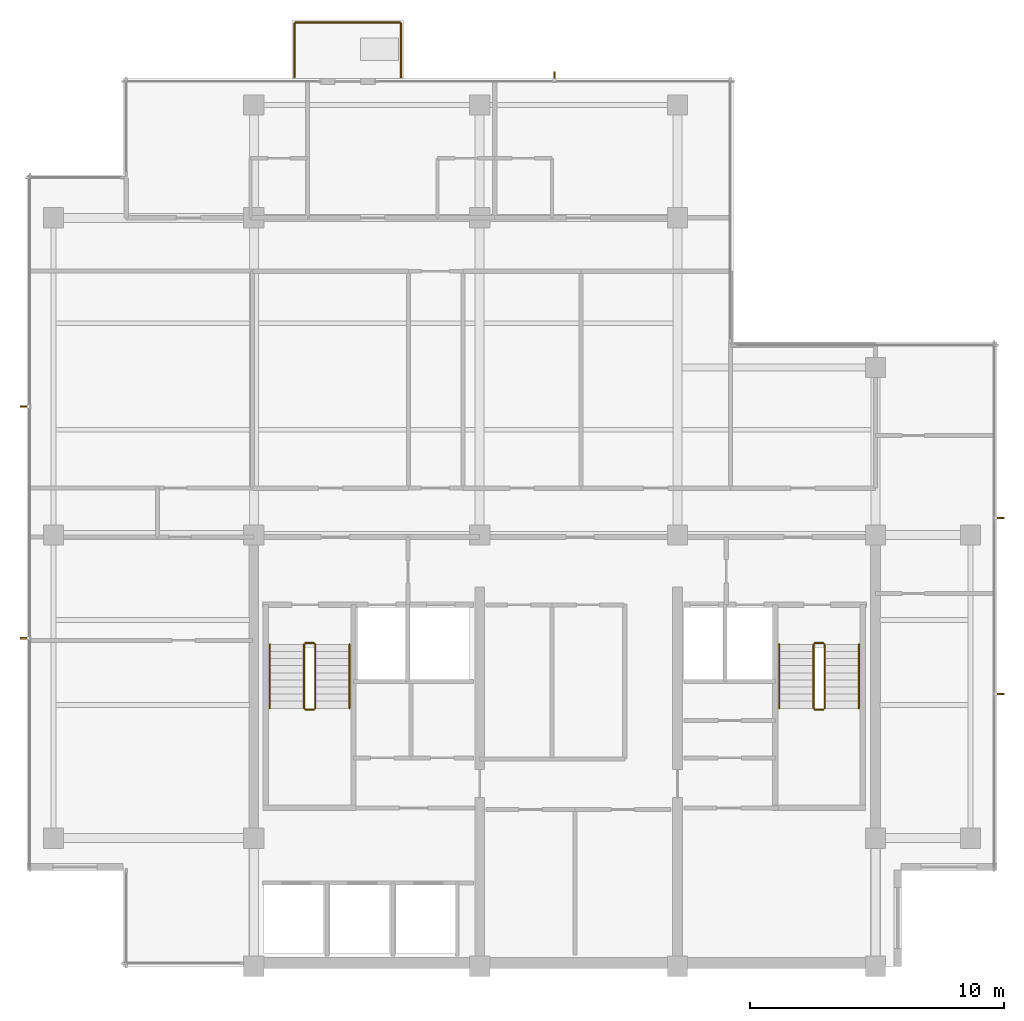
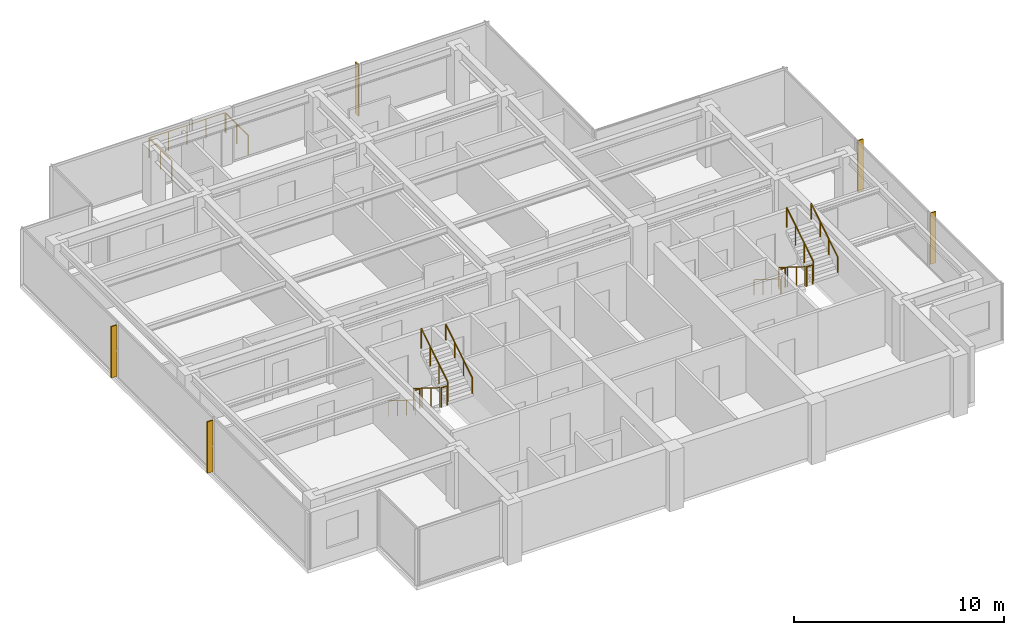
# One storey, part 11 of 11: 15 railings, 5 shading devices.
"""IFC4 building model written with IfcOpenShell, lengths in metres."""

from ifc_helpers import new_model, si_unit, direction, frame, origin, origin_2d, place, context, subcontext, project, spatial, polyline, circle, outline, extrude, material, layer, layer_set, type_object, element, save


model = new_model("IFC4")

# Units and contexts
model_context = context("Model", 3, precision=1e-05, world=origin(), true_north=direction((0.0, 1.0)))
body_context = subcontext(model_context, "Body", "Model", "MODEL_VIEW")
ifc_project = project(units=[si_unit("LENGTHUNIT", "METRE"), si_unit("AREAUNIT", "SQUARE_METRE"), si_unit("VOLUMEUNIT", "CUBIC_METRE"), si_unit("PLANEANGLEUNIT", "RADIAN"), si_unit("MASSUNIT", "GRAM", prefix="KILO")], contexts=[model_context])

# Site, building, storey
site_placement = place(None, origin())
site = spatial("IfcSite", under=ifc_project, at=site_placement, CompositionType="ELEMENT")
building_placement = place(site_placement, origin())
building = spatial("IfcBuilding", under=site, at=building_placement, Name="Qalmaran Belvedere Hotel", CompositionType="ELEMENT")
storey_placement = place(building_placement, frame((0.0, 0.0, 266.89990234375)))
storey = spatial("IfcBuildingStorey", under=building, at=storey_placement, Name="L69", CompositionType="ELEMENT", Elevation=266.89990234375)

# Shading devices
ifc_material_1 = material(Name="Anodised Bronze Aluminium", Category="aluminium")
ifc_layer = layer(ifc_material_1, 0.06494140625, Name="Anodised Bronze Aluminium")
ifc_layer_set = layer_set([ifc_layer], Name="Anodised Bronze Aluminium")
shading_device_type = type_object("IfcShadingDeviceType", Name="FIN-BRNZ-300", PredefinedType="USERDEFINED", material=ifc_layer_set)
shading_device_1_placement = place(storey_placement, frame((0.0, 0.0, 0.16015625)))
element("IfcShadingDevice", 1, at=shading_device_1_placement, inside=storey, type_object=shading_device_type, Name="L69 Bronze Fin 1", ObjectType="FIN", PredefinedType="USERDEFINED", context=body_context, shape_type="SweptSolid", body=[
    extrude(outline(polyline([(49.5673828125, 14.20068359375), (49.867431640625, 14.20068359375), (49.867431640625, 14.265869140625), (49.5673828125, 14.265869140625), (49.5673828125, 14.20068359375)])), origin(), (0.0, 0.0, 1.0), 2.97998046875),
])
shading_device_2_placement = place(storey_placement, frame((0.0, 0.0, 0.16015625)))
element("IfcShadingDevice", 2, at=shading_device_2_placement, inside=storey, type_object=shading_device_type, Name="L69 Bronze Fin 2", ObjectType="FIN", PredefinedType="USERDEFINED", context=body_context, shape_type="SweptSolid", body=[
    extrude(outline(polyline([(49.5673828125, 21.13427734375), (49.867431640625, 21.13427734375), (49.867431640625, 21.19921875), (49.5673828125, 21.19921875), (49.5673828125, 21.13427734375)])), origin(), (0.0, 0.0, 1.0), 2.97998046875),
])
shading_device_3_placement = place(storey_placement, frame((0.0, 0.0, 0.16015625)))
element("IfcShadingDevice", 3, at=shading_device_3_placement, inside=storey, type_object=shading_device_type, Name="L69 Bronze Fin 1", ObjectType="FIN", PredefinedType="USERDEFINED", context=body_context, shape_type="SweptSolid", body=[
    extrude(outline(polyline([(32.1826171875, 38.467529296875), (32.1826171875, 38.767578125), (32.117431640625, 38.767578125), (32.117431640625, 38.467529296875), (32.1826171875, 38.467529296875)])), origin(), (0.0, 0.0, 1.0), 2.97998046875),
])
shading_device_4_placement = place(storey_placement, frame((0.0, 0.0, 0.16015625)))
element("IfcShadingDevice", 4, at=shading_device_4_placement, inside=storey, type_object=shading_device_type, Name="L69 Bronze Fin 1", ObjectType="FIN", PredefinedType="USERDEFINED", context=body_context, shape_type="SweptSolid", body=[
    extrude(outline(polyline([(11.382568359375, 25.59912109375), (11.08251953125, 25.59912109375), (11.08251953125, 25.5341796875), (11.382568359375, 25.5341796875), (11.382568359375, 25.59912109375)])), origin(), (0.0, 0.0, 1.0), 2.97998046875),
])
shading_device_5_placement = place(storey_placement, frame((0.0, 0.0, 0.16015625)))
element("IfcShadingDevice", 5, at=shading_device_5_placement, inside=storey, type_object=shading_device_type, Name="L69 Bronze Fin 2", ObjectType="FIN", PredefinedType="USERDEFINED", context=body_context, shape_type="SweptSolid", body=[
    extrude(outline(polyline([(11.382568359375, 16.4658203125), (11.08251953125, 16.4658203125), (11.08251953125, 16.40087890625), (11.382568359375, 16.40087890625), (11.382568359375, 16.4658203125)])), origin(), (0.0, 0.0, 1.0), 2.97998046875),
])

# Railings
railing_type_1 = type_object("IfcRailingType", Name="GRD-BAL-1150", PredefinedType="BALUSTRADE", material=ifc_material_1)
railing_1_placement = place(storey_placement, frame((21.89990234375, 38.534912109375, 0.0)))
element("IfcRailing", 6, at=railing_1_placement, inside=storey, type_object=railing_type_1, Name="L69 Guardrail BAL-L69-N-1", PredefinedType="BALUSTRADE", context=body_context, shape_type="SweptSolid", body=[
    extrude(circle(Radius=0.02392578125, at=origin_2d()), frame((0.0, 0.0, 1.1259765625), z_axis=(0.0, 1.0, 0.0), x_axis=(-1.0, 0.0, 0.0)), (0.0, 0.0, 1.0), 2.130126953125),
    extrude(circle(Radius=0.02099609375, at=origin_2d()), origin(), (0.0, 0.0, 1.0), 1.101806640625),
    extrude(circle(Radius=0.02099609375, at=origin_2d()), frame((0.0, 1.06494140625, 0.0)), (0.0, 0.0, 1.0), 1.101806640625),
    extrude(circle(Radius=0.02099609375, at=origin_2d()), frame((0.0, 2.130126953125, 0.0)), (0.0, 0.0, 1.0), 1.101806640625),
])
railing_2_placement = place(storey_placement, frame((21.93505859375, 40.699951171875, 0.0)))
element("IfcRailing", 7, at=railing_2_placement, inside=storey, type_object=railing_type_1, Name="L69 Guardrail BAL-L69-N-2", PredefinedType="BALUSTRADE", context=body_context, shape_type="SweptSolid", body=[
    extrude(circle(Radius=0.02392578125, at=origin_2d()), frame((0.0, 0.0, 1.1259765625), z_axis=(1.0, 0.0, 0.0), x_axis=(0.0, 1.0, 0.0)), (0.0, 0.0, 1.0), 4.1298828125),
    extrude(circle(Radius=0.02099609375, at=origin_2d()), origin(), (0.0, 0.0, 1.0), 1.101806640625),
    extrude(circle(Radius=0.02099609375, at=origin_2d()), frame((1.032470703125, 0.0, 0.0)), (0.0, 0.0, 1.0), 1.101806640625),
    extrude(circle(Radius=0.02099609375, at=origin_2d()), frame((2.06494140625, 0.0, 0.0)), (0.0, 0.0, 1.0), 1.101806640625),
    extrude(circle(Radius=0.02099609375, at=origin_2d()), frame((3.097412109375, 0.0, 0.0)), (0.0, 0.0, 1.0), 1.101806640625),
    extrude(circle(Radius=0.02099609375, at=origin_2d()), frame((4.1298828125, 0.0, 0.0)), (0.0, 0.0, 1.0), 1.101806640625),
])
railing_3_placement = place(storey_placement, frame((26.10009765625, 40.6650390625, 0.0)))
element("IfcRailing", 8, at=railing_3_placement, inside=storey, type_object=railing_type_1, Name="L69 Guardrail BAL-L69-N-3", PredefinedType="BALUSTRADE", context=body_context, shape_type="SweptSolid", body=[
    extrude(circle(Radius=0.02392578125, at=origin_2d()), frame((0.0, 0.0, 1.1259765625), z_axis=(0.0, -1.0, 0.0), x_axis=(1.0, 0.0, 0.0)), (0.0, 0.0, 1.0), 2.130126953125),
    extrude(circle(Radius=0.02099609375, at=origin_2d()), origin(), (0.0, 0.0, 1.0), 1.101806640625),
    extrude(circle(Radius=0.02099609375, at=origin_2d()), frame((0.0, -1.06494140625, 0.0)), (0.0, 0.0, 1.0), 1.101806640625),
    extrude(circle(Radius=0.02099609375, at=origin_2d()), frame((0.0, -2.130126953125, 0.0)), (0.0, 0.0, 1.0), 1.101806640625),
])
ifc_material_2 = material(Name="Stainless Steel 1.4401", Category="steel")
railing_type_2 = type_object("IfcRailingType", Name="RLG-STAIR-GUARD-1150", PredefinedType="GUARDRAIL", material=ifc_material_2)
railing_4_placement = place(storey_placement, frame((22.280029296875, 16.18994140625, 0.175048828125)))
element("IfcRailing", 9, at=railing_4_placement, inside=storey, type_object=railing_type_2, Name="L69 ST-1 stair guard 1", PredefinedType="GUARDRAIL", context=body_context, shape_type="SweptSolid", body=[
    extrude(circle(Radius=0.02392578125, at=origin_2d()), frame((0.0, 0.0, 1.1259765625), z_axis=(0.0, -0.848007534815, 0.529984170421), x_axis=(1.0, 0.0, 0.0)), (0.0, 0.0, 1.0), 2.9716796875),
    extrude(circle(Radius=0.02099609375, at=origin_2d()), origin(), (0.0, 0.0, 1.0), 1.101806640625),
    extrude(circle(Radius=0.02099609375, at=origin_2d()), frame((0.0, -0.840087890625, 0.52490234375)), (0.0, 0.0, 1.0), 1.101806640625),
    extrude(circle(Radius=0.02099609375, at=origin_2d()), frame((0.0, -1.679931640625, 1.050048828125)), (0.0, 0.0, 1.0), 1.101806640625),
    extrude(circle(Radius=0.02099609375, at=origin_2d()), frame((0.0, -2.52001953125, 1.574951171875)), (0.0, 0.0, 1.0), 1.101806640625),
])
railing_5_placement = place(storey_placement, frame((22.330078125, 13.6201171875, 1.75)))
element("IfcRailing", 10, at=railing_5_placement, inside=storey, type_object=railing_type_2, Name="L69 ST-1 stair guard 2", PredefinedType="GUARDRAIL", context=body_context, shape_type="SweptSolid", body=[
    extrude(circle(Radius=0.02392578125, at=origin_2d()), frame((0.0, 0.0, 1.1259765625), z_axis=(1.0, 0.0, 0.0), x_axis=(0.0, 1.0, 0.0)), (0.0, 0.0, 1.0), 0.33984375),
    extrude(circle(Radius=0.02099609375, at=origin_2d()), origin(), (0.0, 0.0, 1.0), 1.101806640625),
    extrude(circle(Radius=0.02099609375, at=origin_2d()), frame((0.33984375, 0.0, 0.0)), (0.0, 0.0, 1.0), 1.101806640625),
])
railing_6_placement = place(storey_placement, frame((22.719970703125, 13.669921875, 1.925048828125)))
element("IfcRailing", 11, at=railing_6_placement, inside=storey, type_object=railing_type_2, Name="L69 ST-1 stair guard 3", PredefinedType="GUARDRAIL", context=body_context, shape_type="SweptSolid", body=[
    extrude(circle(Radius=0.02392578125, at=origin_2d()), frame((0.0, 0.0, 1.1259765625), z_axis=(0.0, 0.848007534815, 0.529984170421), x_axis=(-1.0, 0.0, 0.0)), (0.0, 0.0, 1.0), 2.9716796875),
    extrude(circle(Radius=0.02099609375, at=origin_2d()), origin(), (0.0, 0.0, 1.0), 1.101806640625),
    extrude(circle(Radius=0.02099609375, at=origin_2d()), frame((0.0, 0.840087890625, 0.52490234375)), (0.0, 0.0, 1.0), 1.101806640625),
    extrude(circle(Radius=0.02099609375, at=origin_2d()), frame((0.0, 1.679931640625, 1.050048828125)), (0.0, 0.0, 1.0), 1.101806640625),
    extrude(circle(Radius=0.02099609375, at=origin_2d()), frame((0.0, 2.52001953125, 1.574951171875)), (0.0, 0.0, 1.0), 1.101806640625),
])
railing_7_placement = place(storey_placement, frame((22.330078125, 16.239990234375, 0.0)))
element("IfcRailing", 12, at=railing_7_placement, inside=storey, type_object=railing_type_2, Name="L69 ST-1 stair guard 4", PredefinedType="GUARDRAIL", context=body_context, shape_type="SweptSolid", body=[
    extrude(circle(Radius=0.02392578125, at=origin_2d()), frame((0.0, 0.0, 1.1259765625), z_axis=(1.0, 0.0, 0.0), x_axis=(0.0, 1.0, 0.0)), (0.0, 0.0, 1.0), 0.33984375),
    extrude(circle(Radius=0.02099609375, at=origin_2d()), origin(), (0.0, 0.0, 1.0), 1.101806640625),
    extrude(circle(Radius=0.02099609375, at=origin_2d()), frame((0.33984375, 0.0, 0.0)), (0.0, 0.0, 1.0), 1.101806640625),
])
railing_8_placement = place(storey_placement, frame((42.360107421875, 16.18994140625, 0.175048828125)))
element("IfcRailing", 13, at=railing_8_placement, inside=storey, type_object=railing_type_2, Name="L69 ST-2 stair guard 1", PredefinedType="GUARDRAIL", context=body_context, shape_type="SweptSolid", body=[
    extrude(circle(Radius=0.02392578125, at=origin_2d()), frame((0.0, 0.0, 1.1259765625), z_axis=(0.0, -0.848007534815, 0.529984170421), x_axis=(1.0, 0.0, 0.0)), (0.0, 0.0, 1.0), 2.9716796875),
    extrude(circle(Radius=0.02099609375, at=origin_2d()), origin(), (0.0, 0.0, 1.0), 1.101806640625),
    extrude(circle(Radius=0.02099609375, at=origin_2d()), frame((0.0, -0.840087890625, 0.52490234375)), (0.0, 0.0, 1.0), 1.101806640625),
    extrude(circle(Radius=0.02099609375, at=origin_2d()), frame((0.0, -1.679931640625, 1.050048828125)), (0.0, 0.0, 1.0), 1.101806640625),
    extrude(circle(Radius=0.02099609375, at=origin_2d()), frame((0.0, -2.52001953125, 1.574951171875)), (0.0, 0.0, 1.0), 1.101806640625),
])
railing_9_placement = place(storey_placement, frame((42.409912109375, 13.6201171875, 1.75)))
element("IfcRailing", 14, at=railing_9_placement, inside=storey, type_object=railing_type_2, Name="L69 ST-2 stair guard 2", PredefinedType="GUARDRAIL", context=body_context, shape_type="SweptSolid", body=[
    extrude(circle(Radius=0.02392578125, at=origin_2d()), frame((0.0, 0.0, 1.1259765625), z_axis=(1.0, 0.0, 0.0), x_axis=(0.0, 1.0, 0.0)), (0.0, 0.0, 1.0), 0.340087890625),
    extrude(circle(Radius=0.02099609375, at=origin_2d()), origin(), (0.0, 0.0, 1.0), 1.101806640625),
    extrude(circle(Radius=0.02099609375, at=origin_2d()), frame((0.340087890625, 0.0, 0.0)), (0.0, 0.0, 1.0), 1.101806640625),
])
railing_10_placement = place(storey_placement, frame((42.800048828125, 13.669921875, 1.925048828125)))
element("IfcRailing", 15, at=railing_10_placement, inside=storey, type_object=railing_type_2, Name="L69 ST-2 stair guard 3", PredefinedType="GUARDRAIL", context=body_context, shape_type="SweptSolid", body=[
    extrude(circle(Radius=0.02392578125, at=origin_2d()), frame((0.0, 0.0, 1.1259765625), z_axis=(0.0, 0.848007534815, 0.529984170421), x_axis=(-1.0, 0.0, 0.0)), (0.0, 0.0, 1.0), 2.9716796875),
    extrude(circle(Radius=0.02099609375, at=origin_2d()), origin(), (0.0, 0.0, 1.0), 1.101806640625),
    extrude(circle(Radius=0.02099609375, at=origin_2d()), frame((0.0, 0.840087890625, 0.52490234375)), (0.0, 0.0, 1.0), 1.101806640625),
    extrude(circle(Radius=0.02099609375, at=origin_2d()), frame((0.0, 1.679931640625, 1.050048828125)), (0.0, 0.0, 1.0), 1.101806640625),
    extrude(circle(Radius=0.02099609375, at=origin_2d()), frame((0.0, 2.52001953125, 1.574951171875)), (0.0, 0.0, 1.0), 1.101806640625),
])
railing_11_placement = place(storey_placement, frame((42.409912109375, 16.239990234375, 0.0)))
element("IfcRailing", 16, at=railing_11_placement, inside=storey, type_object=railing_type_2, Name="L69 ST-2 stair guard 4", PredefinedType="GUARDRAIL", context=body_context, shape_type="SweptSolid", body=[
    extrude(circle(Radius=0.02392578125, at=origin_2d()), frame((0.0, 0.0, 1.1259765625), z_axis=(1.0, 0.0, 0.0), x_axis=(0.0, 1.0, 0.0)), (0.0, 0.0, 1.0), 0.340087890625),
    extrude(circle(Radius=0.02099609375, at=origin_2d()), origin(), (0.0, 0.0, 1.0), 1.101806640625),
    extrude(circle(Radius=0.02099609375, at=origin_2d()), frame((0.340087890625, 0.0, 0.0)), (0.0, 0.0, 1.0), 1.101806640625),
])
railing_type_3 = type_object("IfcRailingType", Name="RLG-STAIR-HAND-910", PredefinedType="HANDRAIL", material=ifc_material_2)
railing_12_placement = place(storey_placement, frame((20.929931640625, 16.18994140625, 0.175048828125)))
element("IfcRailing", 17, at=railing_12_placement, inside=storey, type_object=railing_type_3, Name="L69 ST-1 stair handrail 1", PredefinedType="HANDRAIL", context=body_context, shape_type="SweptSolid", body=[
    extrude(circle(Radius=0.02392578125, at=origin_2d()), frame((0.0, 0.0, 0.8857421875), z_axis=(0.0, -0.848007534815, 0.529984170421), x_axis=(1.0, 0.0, 0.0)), (0.0, 0.0, 1.0), 2.9716796875),
    extrude(circle(Radius=0.02099609375, at=origin_2d()), origin(), (0.0, 0.0, 1.0), 0.86181640625),
    extrude(circle(Radius=0.02099609375, at=origin_2d()), frame((0.0, -0.840087890625, 0.52490234375)), (0.0, 0.0, 1.0), 0.86181640625),
    extrude(circle(Radius=0.02099609375, at=origin_2d()), frame((0.0, -1.679931640625, 1.050048828125)), (0.0, 0.0, 1.0), 0.86181640625),
    extrude(circle(Radius=0.02099609375, at=origin_2d()), frame((0.0, -2.52001953125, 1.574951171875)), (0.0, 0.0, 1.0), 0.86181640625),
])
railing_13_placement = place(storey_placement, frame((24.070068359375, 13.669921875, 1.925048828125)))
element("IfcRailing", 18, at=railing_13_placement, inside=storey, type_object=railing_type_3, Name="L69 ST-1 stair handrail 2", PredefinedType="HANDRAIL", context=body_context, shape_type="SweptSolid", body=[
    extrude(circle(Radius=0.02392578125, at=origin_2d()), frame((0.0, 0.0, 0.8857421875), z_axis=(0.0, 0.848007534815, 0.529984170421), x_axis=(-1.0, 0.0, 0.0)), (0.0, 0.0, 1.0), 2.9716796875),
    extrude(circle(Radius=0.02099609375, at=origin_2d()), origin(), (0.0, 0.0, 1.0), 0.86181640625),
    extrude(circle(Radius=0.02099609375, at=origin_2d()), frame((0.0, 0.840087890625, 0.52490234375)), (0.0, 0.0, 1.0), 0.86181640625),
    extrude(circle(Radius=0.02099609375, at=origin_2d()), frame((0.0, 1.679931640625, 1.050048828125)), (0.0, 0.0, 1.0), 0.86181640625),
    extrude(circle(Radius=0.02099609375, at=origin_2d()), frame((0.0, 2.52001953125, 1.574951171875)), (0.0, 0.0, 1.0), 0.86181640625),
])
railing_14_placement = place(storey_placement, frame((41.010009765625, 16.18994140625, 0.175048828125)))
element("IfcRailing", 19, at=railing_14_placement, inside=storey, type_object=railing_type_3, Name="L69 ST-2 stair handrail 1", PredefinedType="HANDRAIL", context=body_context, shape_type="SweptSolid", body=[
    extrude(circle(Radius=0.02392578125, at=origin_2d()), frame((0.0, 0.0, 0.8857421875), z_axis=(0.0, -0.848007534815, 0.529984170421), x_axis=(1.0, 0.0, 0.0)), (0.0, 0.0, 1.0), 2.9716796875),
    extrude(circle(Radius=0.02099609375, at=origin_2d()), origin(), (0.0, 0.0, 1.0), 0.86181640625),
    extrude(circle(Radius=0.02099609375, at=origin_2d()), frame((0.0, -0.840087890625, 0.52490234375)), (0.0, 0.0, 1.0), 0.86181640625),
    extrude(circle(Radius=0.02099609375, at=origin_2d()), frame((0.0, -1.679931640625, 1.050048828125)), (0.0, 0.0, 1.0), 0.86181640625),
    extrude(circle(Radius=0.02099609375, at=origin_2d()), frame((0.0, -2.52001953125, 1.574951171875)), (0.0, 0.0, 1.0), 0.86181640625),
])
railing_15_placement = place(storey_placement, frame((44.14990234375, 13.669921875, 1.925048828125)))
element("IfcRailing", 20, at=railing_15_placement, inside=storey, type_object=railing_type_3, Name="L69 ST-2 stair handrail 2", PredefinedType="HANDRAIL", context=body_context, shape_type="SweptSolid", body=[
    extrude(circle(Radius=0.02392578125, at=origin_2d()), frame((0.0, 0.0, 0.8857421875), z_axis=(0.0, 0.848007534815, 0.529984170421), x_axis=(-1.0, 0.0, 0.0)), (0.0, 0.0, 1.0), 2.9716796875),
    extrude(circle(Radius=0.02099609375, at=origin_2d()), origin(), (0.0, 0.0, 1.0), 0.86181640625),
    extrude(circle(Radius=0.02099609375, at=origin_2d()), frame((0.0, 0.840087890625, 0.52490234375)), (0.0, 0.0, 1.0), 0.86181640625),
    extrude(circle(Radius=0.02099609375, at=origin_2d()), frame((0.0, 1.679931640625, 1.050048828125)), (0.0, 0.0, 1.0), 0.86181640625),
    extrude(circle(Radius=0.02099609375, at=origin_2d()), frame((0.0, 2.52001953125, 1.574951171875)), (0.0, 0.0, 1.0), 0.86181640625),
])

save(model, "model.ifc")
